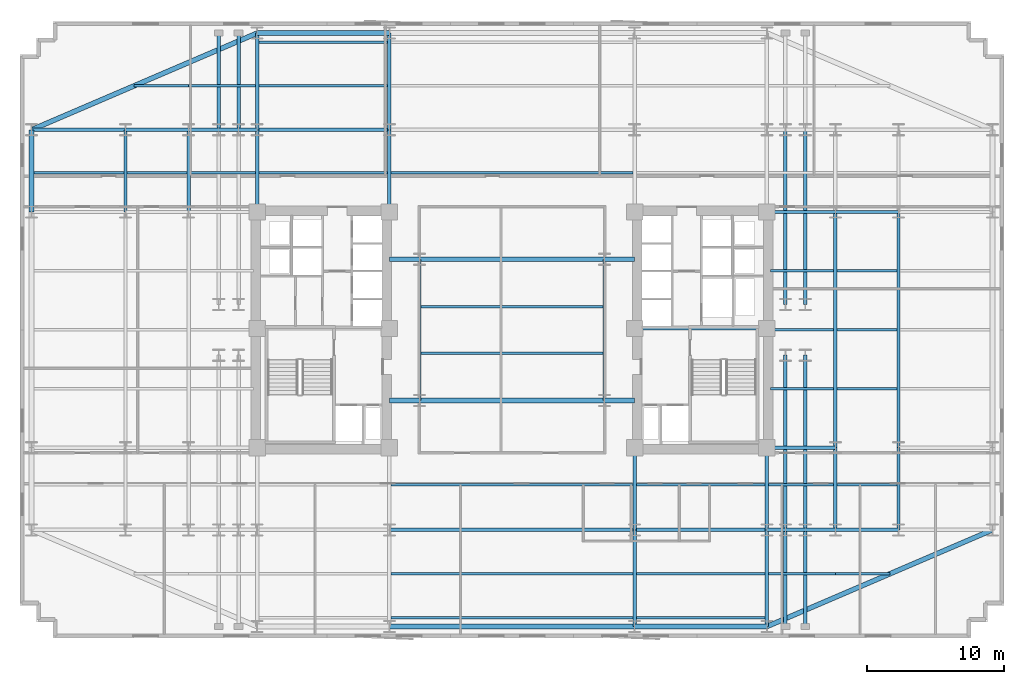
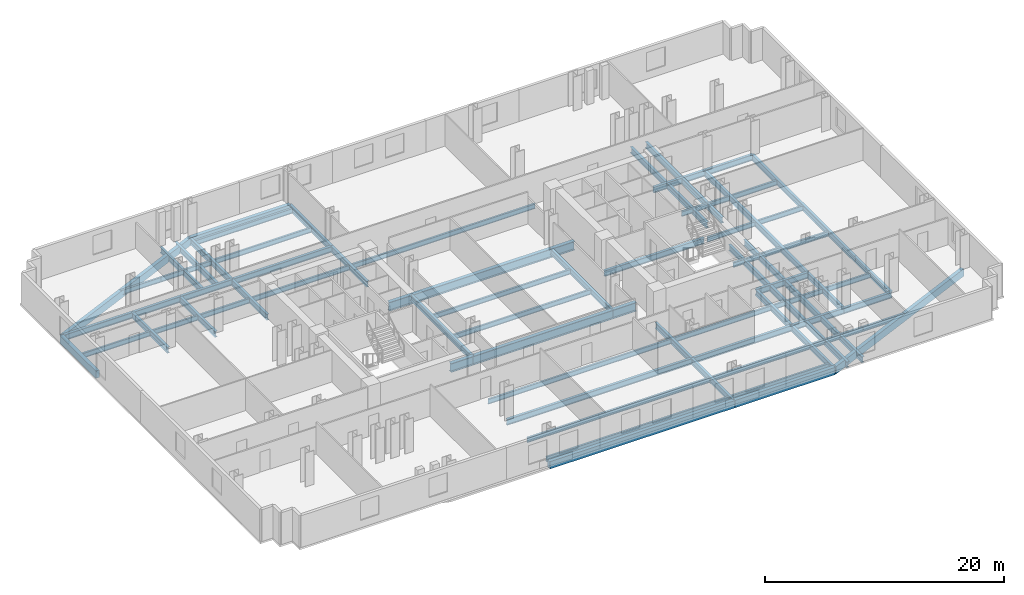
# One storey, part 2 of 10: 75 beams.
"""IFC4 building model written with IfcOpenShell, lengths in metres."""

from ifc_helpers import new_model, si_unit, direction, frame, origin, origin_2d, place, context, subcontext, project, spatial, rectangle, i_section, extrude, material, material_profile, profile_set, type_object, element, save


model = new_model("IFC4")

# Units and contexts
model_context = context("Model", 3, precision=1e-05, world=origin(), true_north=direction((0.0, 1.0)))
body_context = subcontext(model_context, "Body", "Model", "MODEL_VIEW")
ifc_project = project(units=[si_unit("LENGTHUNIT", "METRE"), si_unit("AREAUNIT", "SQUARE_METRE"), si_unit("VOLUMEUNIT", "CUBIC_METRE"), si_unit("PLANEANGLEUNIT", "RADIAN"), si_unit("MASSUNIT", "GRAM", prefix="KILO")], contexts=[model_context])

# Site, building, storey
site_placement = place(None, origin())
site = spatial("IfcSite", under=ifc_project, at=site_placement, CompositionType="ELEMENT")
building_placement = place(site_placement, origin())
building = spatial("IfcBuilding", under=site, at=building_placement, Name="Velakula Bourse", CompositionType="ELEMENT")
storey_placement = place(building_placement, frame((0.0, 0.0, 48.449951171875)))
storey = spatial("IfcBuildingStorey", under=building, at=storey_placement, Name="L12", CompositionType="ELEMENT", Elevation=48.449951171875)

# Beams
ifc_material_1 = material(Name="Steel IS 2062 Grade 350 (E350)", Category="steel")
ifc_material_profile_1 = material_profile(ifc_material_1, i_section(OverallWidth=0.25, OverallDepth=0.60009765625, WebThickness=0.01171875, FlangeThickness=0.023681640625, at=origin_2d()), Name="Steel IS 2062 Grade 350 (E350)")
ifc_profile_set_1 = profile_set([ifc_material_profile_1], Name="Steel IS 2062 Grade 350 (E350)")
beam_type_1 = type_object("IfcBeamType", Name="BM-GRD-600H", PredefinedType="BEAM", material=ifc_profile_set_1)
beam_1_placement = place(storey_placement, frame((8.949951171875, 0.10009765625, -0.47998046875), z_axis=(1.0, 0.0, 0.0), x_axis=(0.0, 1.0, 0.0)))
element("IfcBeam", 1, at=beam_1_placement, inside=storey, type_object=beam_type_1, Name="L12 Primary Backbone Girder CRE-M", PredefinedType="BEAM", context=body_context, shape_type="SweptSolid", body=[
    extrude(i_section(OverallWidth=0.25, OverallDepth=0.60009765625, WebThickness=0.01171875, FlangeThickness=0.023681640625, at=origin_2d()), origin(), (0.0, 0.0, 1.0), 9.650146484375),
])
for number, where, z_axis, x_axis, name in (
    (2, (-6.75, -5.14990234375, -0.47998046875), (0.0, 1.0, 0.0), (-1.0, 0.0, 0.0), "L12 Primary Backbone Girder SPN-W"),
    (3, (6.75, -5.14990234375, -0.47998046875), (0.0, 1.0, 0.0), (-1.0, 0.0, 0.0), "L12 Primary Backbone Girder SPN-E"),
):
    element("IfcBeam", number, at=place(storey_placement, frame(where, z_axis=z_axis, x_axis=x_axis)), inside=storey, type_object=beam_type_1, Name=name, PredefinedType="BEAM", context=body_context, shape_type="SweptSolid", body=[
        extrude(i_section(OverallWidth=0.25, OverallDepth=0.60009765625, WebThickness=0.01171875, FlangeThickness=0.023681640625, at=origin_2d()), origin(), (0.0, 0.0, 1.0), 10.2998046875),
    ])
for number, where, z_axis, x_axis, name in (
    (4, (-18.60009765625, 8.60009765625, -0.47998046875), (0.0, 1.0, 0.0), (-1.0, 0.0, 0.0), "L12 Fulcrum Grid Girder FLC-WN"),
    (5, (-8.949951171875, 8.60009765625, -0.47998046875), (0.0, 1.0, 0.0), (-1.0, 0.0, 0.0), "L12 Fulcrum Grid Girder FLC-WCN"),
    (6, (8.949951171875, -14.60009765625, -0.47998046875), (0.0, 1.0, 0.0), (-1.0, 0.0, 0.0), "L12 Fulcrum Grid Girder FLC-ECS"),
    (7, (18.60009765625, -14.60009765625, -0.47998046875), (0.0, 1.0, 0.0), (-1.0, 0.0, 0.0), "L12 Fulcrum Grid Girder FLC-ES"),
):
    element("IfcBeam", number, at=place(storey_placement, frame(where, z_axis=z_axis, x_axis=x_axis)), inside=storey, type_object=beam_type_1, Name=name, PredefinedType="BEAM", context=body_context, shape_type="SweptSolid", body=[
        extrude(i_section(OverallWidth=0.25, OverallDepth=0.60009765625, WebThickness=0.01171875, FlangeThickness=0.023681640625, at=origin_2d()), origin(), (0.0, 0.0, 1.0), 6.0),
    ])
beam_2_placement = place(storey_placement, frame((-8.949951171875, -14.60009765625, -0.47998046875), z_axis=(1.0, 0.0, 0.0), x_axis=(0.0, 1.0, 0.0)))
element("IfcBeam", 8, at=beam_2_placement, inside=storey, type_object=beam_type_1, Name="L12 Fulcrum Grid Girder FLC-S2", PredefinedType="BEAM", context=body_context, shape_type="SweptSolid", body=[
    extrude(i_section(OverallWidth=0.25, OverallDepth=0.60009765625, WebThickness=0.01171875, FlangeThickness=0.023681640625, at=origin_2d()), origin(), (0.0, 0.0, 1.0), 17.89990234375),
])
for number, where, z_axis, x_axis, name in (
    (9, (8.949951171875, -14.60009765625, -0.47998046875), (1.0, 0.0, 0.0), (0.0, 1.0, 0.0), "L12 Fulcrum Grid Girder FLC-S3"),
    (10, (-18.60009765625, 14.60009765625, -0.47998046875), (1.0, 0.0, 0.0), (0.0, 1.0, 0.0), "L12 Fulcrum Grid Girder FLC-N1"),
):
    element("IfcBeam", number, at=place(storey_placement, frame(where, z_axis=z_axis, x_axis=x_axis)), inside=storey, type_object=beam_type_1, Name=name, PredefinedType="BEAM", context=body_context, shape_type="SweptSolid", body=[
        extrude(i_section(OverallWidth=0.25, OverallDepth=0.60009765625, WebThickness=0.01171875, FlangeThickness=0.023681640625, at=origin_2d()), origin(), (0.0, 0.0, 1.0), 9.650146484375),
    ])
for number, where, z_axis, x_axis, name in (
    (11, (19.949951171875, -14.60009765625, -0.47998046875), (0.0, 1.0, 0.0), (-1.0, 0.0, 0.0), "L12 Fulcrum Grid Girder FLC-PSE1"),
    (12, (19.949951171875, 1.85009765625, -0.47998046875), (0.0, 1.0, 0.0), (-1.0, 0.0, 0.0), "L12 Fulcrum Grid Girder FLC-PNE1"),
    (13, (21.39990234375, -14.60009765625, -0.47998046875), (0.0, 1.0, 0.0), (-1.0, 0.0, 0.0), "L12 Fulcrum Grid Girder FLC-PSE2"),
    (14, (21.39990234375, 1.85009765625, -0.47998046875), (0.0, 1.0, 0.0), (-1.0, 0.0, 0.0), "L12 Fulcrum Grid Girder FLC-PNE2"),
):
    element("IfcBeam", number, at=place(storey_placement, frame(where, z_axis=z_axis, x_axis=x_axis)), inside=storey, type_object=beam_type_1, Name=name, PredefinedType="BEAM", context=body_context, shape_type="SweptSolid", body=[
        extrude(i_section(OverallWidth=0.25, OverallDepth=0.60009765625, WebThickness=0.01171875, FlangeThickness=0.023681640625, at=origin_2d()), origin(), (0.0, 0.0, 1.0), 12.75),
    ])
beam_3_placement = place(storey_placement, frame((-23.60009765625, 14.60009765625, -0.47998046875), z_axis=(1.0, 0.0, 0.0), x_axis=(0.0, 1.0, 0.0)))
element("IfcBeam", 15, at=beam_3_placement, inside=storey, type_object=beam_type_1, Name="L12 Fulcrum Grid Girder MWG-WN2", PredefinedType="BEAM", context=body_context, shape_type="SweptSolid", body=[
    extrude(i_section(OverallWidth=0.25, OverallDepth=0.60009765625, WebThickness=0.01171875, FlangeThickness=0.023681640625, at=origin_2d()), origin(), (0.0, 0.0, 1.0), 5.0),
])
beam_4_placement = place(storey_placement, frame((-23.60009765625, 8.60009765625, -0.47998046875), z_axis=(0.0, 1.0, 0.0), x_axis=(-1.0, 0.0, 0.0)))
element("IfcBeam", 16, at=beam_4_placement, inside=storey, type_object=beam_type_1, Name="L12 Fulcrum Grid Girder MWG-WNS3", PredefinedType="BEAM", context=body_context, shape_type="SweptSolid", body=[
    extrude(i_section(OverallWidth=0.25, OverallDepth=0.60009765625, WebThickness=0.01171875, FlangeThickness=0.023681640625, at=origin_2d()), origin(), (0.0, 0.0, 1.0), 6.0),
])
for number, where, z_axis, x_axis, name in (
    (17, (18.60009765625, -14.60009765625, -0.47998046875), (1.0, 0.0, 0.0), (0.0, 1.0, 0.0), "L12 Fulcrum Grid Girder MWG-ES1"),
    (18, (18.60009765625, -8.60009765625, -0.47998046875), (1.0, 0.0, 0.0), (0.0, 1.0, 0.0), "L12 Fulcrum Grid Girder MWG-ES2"),
    (19, (18.60009765625, 8.60009765625, -0.47998046875), (1.0, 0.0, 0.0), (0.0, 1.0, 0.0), "L12 Fulcrum Grid Girder MWG-EN1"),
):
    element("IfcBeam", number, at=place(storey_placement, frame(where, z_axis=z_axis, x_axis=x_axis)), inside=storey, type_object=beam_type_1, Name=name, PredefinedType="BEAM", context=body_context, shape_type="SweptSolid", body=[
        extrude(i_section(OverallWidth=0.25, OverallDepth=0.60009765625, WebThickness=0.01171875, FlangeThickness=0.023681640625, at=origin_2d()), origin(), (0.0, 0.0, 1.0), 5.0),
    ])
beam_5_placement = place(storey_placement, frame((23.60009765625, -14.60009765625, -0.47998046875), z_axis=(0.0, 1.0, 0.0), x_axis=(-1.0, 0.0, 0.0)))
element("IfcBeam", 20, at=beam_5_placement, inside=storey, type_object=beam_type_1, Name="L12 Fulcrum Grid Girder MWG-ENS1", PredefinedType="BEAM", context=body_context, shape_type="SweptSolid", body=[
    extrude(i_section(OverallWidth=0.25, OverallDepth=0.60009765625, WebThickness=0.01171875, FlangeThickness=0.023681640625, at=origin_2d()), origin(), (0.0, 0.0, 1.0), 6.0),
])
beam_6_placement = place(storey_placement, frame((23.60009765625, -8.60009765625, -0.47998046875), z_axis=(0.0, 1.0, 0.0), x_axis=(-1.0, 0.0, 0.0)))
element("IfcBeam", 21, at=beam_6_placement, inside=storey, type_object=beam_type_1, Name="L12 Fulcrum Grid Girder MWG-ENS2", PredefinedType="BEAM", context=body_context, shape_type="SweptSolid", body=[
    extrude(i_section(OverallWidth=0.25, OverallDepth=0.60009765625, WebThickness=0.01171875, FlangeThickness=0.023681640625, at=origin_2d()), origin(), (0.0, 0.0, 1.0), 17.2001953125),
])
beam_7_placement = place(storey_placement, frame((-28.199951171875, 14.60009765625, -0.47998046875), z_axis=(1.0, 0.0, 0.0), x_axis=(0.0, 1.0, 0.0)))
element("IfcBeam", 22, at=beam_7_placement, inside=storey, type_object=beam_type_1, Name="L12 Fulcrum Grid Girder WNG-WN2", PredefinedType="BEAM", context=body_context, shape_type="SweptSolid", body=[
    extrude(i_section(OverallWidth=0.25, OverallDepth=0.60009765625, WebThickness=0.01171875, FlangeThickness=0.023681640625, at=origin_2d()), origin(), (0.0, 0.0, 1.0), 4.599853515625),
])
beam_8_placement = place(storey_placement, frame((-28.199951171875, 8.60009765625, -0.47998046875), z_axis=(0.0, 1.0, 0.0), x_axis=(-1.0, 0.0, 0.0)))
element("IfcBeam", 23, at=beam_8_placement, inside=storey, type_object=beam_type_1, Name="L12 Fulcrum Grid Girder WNG-WNS3", PredefinedType="BEAM", context=body_context, shape_type="SweptSolid", body=[
    extrude(i_section(OverallWidth=0.25, OverallDepth=0.60009765625, WebThickness=0.01171875, FlangeThickness=0.023681640625, at=origin_2d()), origin(), (0.0, 0.0, 1.0), 6.0),
])
for number, where, z_axis, x_axis, name in (
    (24, (23.60009765625, -14.60009765625, -0.47998046875), (1.0, 0.0, 0.0), (0.0, 1.0, 0.0), "L12 Fulcrum Grid Girder WNG-ES1"),
    (25, (23.60009765625, 8.60009765625, -0.47998046875), (1.0, 0.0, 0.0), (0.0, 1.0, 0.0), "L12 Fulcrum Grid Girder WNG-EN1"),
):
    element("IfcBeam", number, at=place(storey_placement, frame(where, z_axis=z_axis, x_axis=x_axis)), inside=storey, type_object=beam_type_1, Name=name, PredefinedType="BEAM", context=body_context, shape_type="SweptSolid", body=[
        extrude(i_section(OverallWidth=0.25, OverallDepth=0.60009765625, WebThickness=0.01171875, FlangeThickness=0.023681640625, at=origin_2d()), origin(), (0.0, 0.0, 1.0), 4.599853515625),
    ])
beam_9_placement = place(storey_placement, frame((28.199951171875, -14.60009765625, -0.47998046875), z_axis=(0.0, 1.0, 0.0), x_axis=(-1.0, 0.0, 0.0)))
element("IfcBeam", 26, at=beam_9_placement, inside=storey, type_object=beam_type_1, Name="L12 Fulcrum Grid Girder WNG-ENS1", PredefinedType="BEAM", context=body_context, shape_type="SweptSolid", body=[
    extrude(i_section(OverallWidth=0.25, OverallDepth=0.60009765625, WebThickness=0.01171875, FlangeThickness=0.023681640625, at=origin_2d()), origin(), (0.0, 0.0, 1.0), 6.0),
])
beam_10_placement = place(storey_placement, frame((28.199951171875, -8.60009765625, -0.47998046875), z_axis=(0.0, 1.0, 0.0), x_axis=(-1.0, 0.0, 0.0)))
element("IfcBeam", 27, at=beam_10_placement, inside=storey, type_object=beam_type_1, Name="L12 Fulcrum Grid Girder WNG-ENS2", PredefinedType="BEAM", context=body_context, shape_type="SweptSolid", body=[
    extrude(i_section(OverallWidth=0.25, OverallDepth=0.60009765625, WebThickness=0.01171875, FlangeThickness=0.023681640625, at=origin_2d()), origin(), (0.0, 0.0, 1.0), 17.2001953125),
])
for number, where, z_axis, x_axis, name in (
    (28, (8.949951171875, -14.60009765625, -0.47998046875), (0.0, -1.0, 0.0), (1.0, 0.0, 0.0), "L12 Perimeter Tie Girder S3"),
    (29, (18.60009765625, -14.60009765625, -0.47998046875), (0.0, -1.0, 0.0), (1.0, 0.0, 0.0), "L12 Perimeter Tie Girder S4"),
    (30, (-18.60009765625, 14.60009765625, -0.47998046875), (0.0, 1.0, 0.0), (-1.0, 0.0, 0.0), "L12 Perimeter Tie Girder N1"),
    (31, (-8.949951171875, 14.60009765625, -0.47998046875), (0.0, 1.0, 0.0), (-1.0, 0.0, 0.0), "L12 Perimeter Tie Girder N2"),
):
    element("IfcBeam", number, at=place(storey_placement, frame(where, z_axis=z_axis, x_axis=x_axis)), inside=storey, type_object=beam_type_1, Name=name, PredefinedType="BEAM", context=body_context, shape_type="SweptSolid", body=[
        extrude(i_section(OverallWidth=0.25, OverallDepth=0.60009765625, WebThickness=0.01171875, FlangeThickness=0.023681640625, at=origin_2d()), origin(), (0.0, 0.0, 1.0), 7.0498046875),
    ])
beam_11_placement = place(storey_placement, frame((-28.199951171875, 14.60009765625, -0.47998046875), z_axis=(-1.0, 0.0, 0.0), x_axis=(0.0, -1.0, 0.0)))
element("IfcBeam", 32, at=beam_11_placement, inside=storey, type_object=beam_type_1, Name="L12 Perimeter Tie Girder W4", PredefinedType="BEAM", context=body_context, shape_type="SweptSolid", body=[
    extrude(i_section(OverallWidth=0.25, OverallDepth=0.60009765625, WebThickness=0.01171875, FlangeThickness=0.023681640625, at=origin_2d()), origin(), (0.0, 0.0, 1.0), 6.85009765625),
])
for number, where, z_axis, x_axis, name in (
    (33, (19.949951171875, -14.60009765625, -0.47998046875), (0.0, -1.0, 0.0), (1.0, 0.0, 0.0), "L12 Perimeter Tie Girder P03"),
    (34, (21.39990234375, -14.60009765625, -0.47998046875), (0.0, -1.0, 0.0), (1.0, 0.0, 0.0), "L12 Perimeter Tie Girder P04"),
    (35, (-21.39990234375, 14.60009765625, -0.47998046875), (0.0, 1.0, 0.0), (-1.0, 0.0, 0.0), "L12 Perimeter Tie Girder P05"),
    (36, (-19.949951171875, 14.60009765625, -0.47998046875), (0.0, 1.0, 0.0), (-1.0, 0.0, 0.0), "L12 Perimeter Tie Girder P06"),
):
    element("IfcBeam", number, at=place(storey_placement, frame(where, z_axis=z_axis, x_axis=x_axis)), inside=storey, type_object=beam_type_1, Name=name, PredefinedType="BEAM", context=body_context, shape_type="SweptSolid", body=[
        extrude(i_section(OverallWidth=0.25, OverallDepth=0.60009765625, WebThickness=0.01171875, FlangeThickness=0.023681640625, at=origin_2d()), origin(), (0.0, 0.0, 1.0), 7.0498046875),
    ])
ifc_material_profile_2 = material_profile(ifc_material_1, i_section(OverallWidth=0.35009765625, OverallDepth=0.89990234375, WebThickness=0.02001953125, FlangeThickness=0.031982421875, at=origin_2d()), Name="Steel IS 2062 Grade 350 (E350)")
ifc_profile_set_2 = profile_set([ifc_material_profile_2], Name="Steel IS 2062 Grade 350 (E350)")
beam_type_2 = type_object("IfcBeamType", Name="BM-LNK-900", PredefinedType="BEAM", material=ifc_profile_set_2)
beam_12_placement = place(storey_placement, frame((-8.949951171875, -5.14990234375, -0.6298828125), z_axis=(1.0, 0.0, 0.0), x_axis=(0.0, 1.0, 0.0)))
element("IfcBeam", 37, at=beam_12_placement, inside=storey, type_object=beam_type_2, Name="L12 Primary Backbone Girder LNK-S1", PredefinedType="BEAM", context=body_context, shape_type="SweptSolid", body=[
    extrude(i_section(OverallWidth=0.35009765625, OverallDepth=0.89990234375, WebThickness=0.02001953125, FlangeThickness=0.031982421875, at=origin_2d()), origin(), (0.0, 0.0, 1.0), 2.199951171875),
])
beam_13_placement = place(storey_placement, frame((-6.75, -5.14990234375, -0.6298828125), z_axis=(1.0, 0.0, 0.0), x_axis=(0.0, 1.0, 0.0)))
element("IfcBeam", 38, at=beam_13_placement, inside=storey, type_object=beam_type_2, Name="L12 Primary Backbone Girder LNK-S2", PredefinedType="BEAM", context=body_context, shape_type="SweptSolid", body=[
    extrude(i_section(OverallWidth=0.35009765625, OverallDepth=0.89990234375, WebThickness=0.02001953125, FlangeThickness=0.031982421875, at=origin_2d()), origin(), (0.0, 0.0, 1.0), 13.5),
])
for number, where, z_axis, x_axis, name in (
    (39, (6.75, -5.14990234375, -0.6298828125), (1.0, 0.0, 0.0), (0.0, 1.0, 0.0), "L12 Primary Backbone Girder LNK-S3"),
    (40, (-8.949951171875, 5.14990234375, -0.6298828125), (1.0, 0.0, 0.0), (0.0, 1.0, 0.0), "L12 Primary Backbone Girder LNK-N1"),
):
    element("IfcBeam", number, at=place(storey_placement, frame(where, z_axis=z_axis, x_axis=x_axis)), inside=storey, type_object=beam_type_2, Name=name, PredefinedType="BEAM", context=body_context, shape_type="SweptSolid", body=[
        extrude(i_section(OverallWidth=0.35009765625, OverallDepth=0.89990234375, WebThickness=0.02001953125, FlangeThickness=0.031982421875, at=origin_2d()), origin(), (0.0, 0.0, 1.0), 2.199951171875),
    ])
beam_14_placement = place(storey_placement, frame((-6.75, 5.14990234375, -0.6298828125), z_axis=(1.0, 0.0, 0.0), x_axis=(0.0, 1.0, 0.0)))
element("IfcBeam", 41, at=beam_14_placement, inside=storey, type_object=beam_type_2, Name="L12 Primary Backbone Girder LNK-N2", PredefinedType="BEAM", context=body_context, shape_type="SweptSolid", body=[
    extrude(i_section(OverallWidth=0.35009765625, OverallDepth=0.89990234375, WebThickness=0.02001953125, FlangeThickness=0.031982421875, at=origin_2d()), origin(), (0.0, 0.0, 1.0), 13.5),
])
beam_15_placement = place(storey_placement, frame((6.75, 5.14990234375, -0.6298828125), z_axis=(1.0, 0.0, 0.0), x_axis=(0.0, 1.0, 0.0)))
element("IfcBeam", 42, at=beam_15_placement, inside=storey, type_object=beam_type_2, Name="L12 Primary Backbone Girder LNK-N3", PredefinedType="BEAM", context=body_context, shape_type="SweptSolid", body=[
    extrude(i_section(OverallWidth=0.35009765625, OverallDepth=0.89990234375, WebThickness=0.02001953125, FlangeThickness=0.031982421875, at=origin_2d()), origin(), (0.0, 0.0, 1.0), 2.199951171875),
])
ifc_material_profile_3 = material_profile(ifc_material_1, i_section(OverallWidth=0.179931640625, OverallDepth=0.5, WebThickness=0.01025390625, FlangeThickness=0.01708984375, at=origin_2d()), Name="Steel IS 2062 Grade 350 (E350)")
ifc_profile_set_3 = profile_set([ifc_material_profile_3], Name="Steel IS 2062 Grade 350 (E350)")
beam_type_3 = type_object("IfcBeamType", Name="JST-TWR-500", PredefinedType="JOIST", material=ifc_profile_set_3)
beam_16_placement = place(storey_placement, frame((-8.824951171875, -21.0, -0.429931640625), z_axis=(1.0, 0.0, 0.0), x_axis=(0.0, 1.0, 0.0)))
element("IfcBeam", 43, at=beam_16_placement, inside=storey, type_object=beam_type_3, Name="L12 Trading Floor Composite Joist 02", PredefinedType="JOIST", context=body_context, shape_type="SweptSolid", body=[
    extrude(i_section(OverallWidth=0.179931640625, OverallDepth=0.5, WebThickness=0.01025390625, FlangeThickness=0.01708984375, at=origin_2d()), origin(), (0.0, 0.0, 1.0), 17.64990234375),
])
beam_17_placement = place(storey_placement, frame((9.074951171875, -21.0, -0.429931640625), z_axis=(1.0, 0.0, 0.0), x_axis=(0.0, 1.0, 0.0)))
element("IfcBeam", 44, at=beam_17_placement, inside=storey, type_object=beam_type_3, Name="L12 Trading Floor Composite Joist 03", PredefinedType="JOIST", context=body_context, shape_type="SweptSolid", body=[
    extrude(i_section(OverallWidth=0.179931640625, OverallDepth=0.5, WebThickness=0.01025390625, FlangeThickness=0.01708984375, at=origin_2d()), origin(), (0.0, 0.0, 1.0), 9.400146484375),
])
beam_18_placement = place(storey_placement, frame((-8.824951171875, -17.800048828125, -0.429931640625), z_axis=(1.0, 0.0, 0.0), x_axis=(0.0, 1.0, 0.0)))
element("IfcBeam", 45, at=beam_18_placement, inside=storey, type_object=beam_type_3, Name="L12 Trading Floor Composite Joist 07", PredefinedType="JOIST", context=body_context, shape_type="SweptSolid", body=[
    extrude(i_section(OverallWidth=0.179931640625, OverallDepth=0.5, WebThickness=0.01025390625, FlangeThickness=0.01708984375, at=origin_2d()), origin(), (0.0, 0.0, 1.0), 17.64990234375),
])
beam_19_placement = place(storey_placement, frame((9.074951171875, -17.800048828125, -0.429931640625), z_axis=(1.0, 0.0, 0.0), x_axis=(0.0, 1.0, 0.0)))
element("IfcBeam", 46, at=beam_19_placement, inside=storey, type_object=beam_type_3, Name="L12 Trading Floor Composite Joist 08", PredefinedType="JOIST", context=body_context, shape_type="SweptSolid", body=[
    extrude(i_section(OverallWidth=0.179931640625, OverallDepth=0.5, WebThickness=0.01025390625, FlangeThickness=0.01708984375, at=origin_2d()), origin(), (0.0, 0.0, 1.0), 9.400146484375),
])
beam_20_placement = place(storey_placement, frame((18.72509765625, -17.800048828125, -0.429931640625), z_axis=(1.0, 0.0, 0.0), x_axis=(0.0, 1.0, 0.0)))
element("IfcBeam", 47, at=beam_20_placement, inside=storey, type_object=beam_type_3, Name="L12 Trading Floor Composite Joist 09", PredefinedType="JOIST", context=body_context, shape_type="SweptSolid", body=[
    extrude(i_section(OverallWidth=0.179931640625, OverallDepth=0.5, WebThickness=0.01025390625, FlangeThickness=0.01708984375, at=origin_2d()), origin(), (0.0, 0.0, 1.0), 4.875),
])
beam_21_placement = place(storey_placement, frame((23.60009765625, -17.800048828125, -0.429931640625), z_axis=(1.0, 0.0, 0.0), x_axis=(0.0, 1.0, 0.0)))
element("IfcBeam", 48, at=beam_21_placement, inside=storey, type_object=beam_type_3, Name="L12 Trading Floor Composite Joist 10", PredefinedType="JOIST", context=body_context, shape_type="SweptSolid", body=[
    extrude(i_section(OverallWidth=0.179931640625, OverallDepth=0.5, WebThickness=0.01025390625, FlangeThickness=0.01708984375, at=origin_2d()), origin(), (0.0, 0.0, 1.0), 3.983154296875),
])
beam_22_placement = place(storey_placement, frame((-8.824951171875, -11.300048828125, -0.429931640625), z_axis=(1.0, 0.0, 0.0), x_axis=(0.0, 1.0, 0.0)))
element("IfcBeam", 49, at=beam_22_placement, inside=storey, type_object=beam_type_3, Name="L12 Trading Floor Composite Joist 15", PredefinedType="JOIST", context=body_context, shape_type="SweptSolid", body=[
    extrude(i_section(OverallWidth=0.179931640625, OverallDepth=0.5, WebThickness=0.01025390625, FlangeThickness=0.01708984375, at=origin_2d()), origin(), (0.0, 0.0, 1.0), 17.64990234375),
])
beam_23_placement = place(storey_placement, frame((9.074951171875, -11.300048828125, -0.429931640625), z_axis=(1.0, 0.0, 0.0), x_axis=(0.0, 1.0, 0.0)))
element("IfcBeam", 50, at=beam_23_placement, inside=storey, type_object=beam_type_3, Name="L12 Trading Floor Composite Joist 16", PredefinedType="JOIST", context=body_context, shape_type="SweptSolid", body=[
    extrude(i_section(OverallWidth=0.179931640625, OverallDepth=0.5, WebThickness=0.01025390625, FlangeThickness=0.01708984375, at=origin_2d()), origin(), (0.0, 0.0, 1.0), 9.400146484375),
])
beam_24_placement = place(storey_placement, frame((18.72509765625, -11.300048828125, -0.429931640625), z_axis=(1.0, 0.0, 0.0), x_axis=(0.0, 1.0, 0.0)))
element("IfcBeam", 51, at=beam_24_placement, inside=storey, type_object=beam_type_3, Name="L12 Trading Floor Composite Joist 17", PredefinedType="JOIST", context=body_context, shape_type="SweptSolid", body=[
    extrude(i_section(OverallWidth=0.179931640625, OverallDepth=0.5, WebThickness=0.01025390625, FlangeThickness=0.01708984375, at=origin_2d()), origin(), (0.0, 0.0, 1.0), 4.75),
])
beam_25_placement = place(storey_placement, frame((23.72509765625, -11.300048828125, -0.429931640625), z_axis=(1.0, 0.0, 0.0), x_axis=(0.0, 1.0, 0.0)))
element("IfcBeam", 52, at=beam_25_placement, inside=storey, type_object=beam_type_3, Name="L12 Trading Floor Composite Joist 18", PredefinedType="JOIST", context=body_context, shape_type="SweptSolid", body=[
    extrude(i_section(OverallWidth=0.179931640625, OverallDepth=0.5, WebThickness=0.01025390625, FlangeThickness=0.01708984375, at=origin_2d()), origin(), (0.0, 0.0, 1.0), 4.349853515625),
])
beam_26_placement = place(storey_placement, frame((-34.875, 11.449951171875, -0.429931640625), z_axis=(1.0, 0.0, 0.0), x_axis=(0.0, 1.0, 0.0)))
element("IfcBeam", 53, at=beam_26_placement, inside=storey, type_object=beam_type_3, Name="L12 Trading Floor Composite Joist 20", PredefinedType="JOIST", context=body_context, shape_type="SweptSolid", body=[
    extrude(i_section(OverallWidth=0.179931640625, OverallDepth=0.5, WebThickness=0.01025390625, FlangeThickness=0.01708984375, at=origin_2d()), origin(), (0.0, 0.0, 1.0), 6.550048828125),
])
beam_27_placement = place(storey_placement, frame((-28.074951171875, 11.449951171875, -0.429931640625), z_axis=(1.0, 0.0, 0.0), x_axis=(0.0, 1.0, 0.0)))
element("IfcBeam", 54, at=beam_27_placement, inside=storey, type_object=beam_type_3, Name="L12 Trading Floor Composite Joist 21", PredefinedType="JOIST", context=body_context, shape_type="SweptSolid", body=[
    extrude(i_section(OverallWidth=0.179931640625, OverallDepth=0.5, WebThickness=0.01025390625, FlangeThickness=0.01708984375, at=origin_2d()), origin(), (0.0, 0.0, 1.0), 4.349853515625),
])
beam_28_placement = place(storey_placement, frame((-23.47509765625, 11.449951171875, -0.429931640625), z_axis=(1.0, 0.0, 0.0), x_axis=(0.0, 1.0, 0.0)))
element("IfcBeam", 55, at=beam_28_placement, inside=storey, type_object=beam_type_3, Name="L12 Trading Floor Composite Joist 22", PredefinedType="JOIST", context=body_context, shape_type="SweptSolid", body=[
    extrude(i_section(OverallWidth=0.179931640625, OverallDepth=0.5, WebThickness=0.01025390625, FlangeThickness=0.01708984375, at=origin_2d()), origin(), (0.0, 0.0, 1.0), 4.75),
])
beam_29_placement = place(storey_placement, frame((-18.47509765625, 11.449951171875, -0.429931640625), z_axis=(1.0, 0.0, 0.0), x_axis=(0.0, 1.0, 0.0)))
element("IfcBeam", 56, at=beam_29_placement, inside=storey, type_object=beam_type_3, Name="L12 Trading Floor Composite Joist 23", PredefinedType="JOIST", context=body_context, shape_type="SweptSolid", body=[
    extrude(i_section(OverallWidth=0.179931640625, OverallDepth=0.5, WebThickness=0.01025390625, FlangeThickness=0.01708984375, at=origin_2d()), origin(), (0.0, 0.0, 1.0), 9.400146484375),
])
beam_30_placement = place(storey_placement, frame((-8.824951171875, 11.449951171875, -0.429931640625), z_axis=(1.0, 0.0, 0.0), x_axis=(0.0, 1.0, 0.0)))
element("IfcBeam", 57, at=beam_30_placement, inside=storey, type_object=beam_type_3, Name="L12 Trading Floor Composite Joist 24", PredefinedType="JOIST", context=body_context, shape_type="SweptSolid", body=[
    extrude(i_section(OverallWidth=0.179931640625, OverallDepth=0.5, WebThickness=0.01025390625, FlangeThickness=0.01708984375, at=origin_2d()), origin(), (0.0, 0.0, 1.0), 17.64990234375),
])
beam_31_placement = place(storey_placement, frame((-27.583251953125, 17.800048828125, -0.429931640625), z_axis=(1.0, 0.0, 0.0), x_axis=(0.0, 1.0, 0.0)))
element("IfcBeam", 58, at=beam_31_placement, inside=storey, type_object=beam_type_3, Name="L12 Trading Floor Composite Joist 29", PredefinedType="JOIST", context=body_context, shape_type="SweptSolid", body=[
    extrude(i_section(OverallWidth=0.179931640625, OverallDepth=0.5, WebThickness=0.01025390625, FlangeThickness=0.01708984375, at=origin_2d()), origin(), (0.0, 0.0, 1.0), 3.983154296875),
])
beam_32_placement = place(storey_placement, frame((-23.60009765625, 17.800048828125, -0.429931640625), z_axis=(1.0, 0.0, 0.0), x_axis=(0.0, 1.0, 0.0)))
element("IfcBeam", 59, at=beam_32_placement, inside=storey, type_object=beam_type_3, Name="L12 Trading Floor Composite Joist 30", PredefinedType="JOIST", context=body_context, shape_type="SweptSolid", body=[
    extrude(i_section(OverallWidth=0.179931640625, OverallDepth=0.5, WebThickness=0.01025390625, FlangeThickness=0.01708984375, at=origin_2d()), origin(), (0.0, 0.0, 1.0), 4.875),
])
for number, where, z_axis, x_axis, name in (
    (60, (-18.47509765625, 17.800048828125, -0.429931640625), (1.0, 0.0, 0.0), (0.0, 1.0, 0.0), "L12 Trading Floor Composite Joist 31"),
    (61, (-18.47509765625, 21.0, -0.429931640625), (1.0, 0.0, 0.0), (0.0, 1.0, 0.0), "L12 Trading Floor Composite Joist 36"),
):
    element("IfcBeam", number, at=place(storey_placement, frame(where, z_axis=z_axis, x_axis=x_axis)), inside=storey, type_object=beam_type_3, Name=name, PredefinedType="JOIST", context=body_context, shape_type="SweptSolid", body=[
        extrude(i_section(OverallWidth=0.179931640625, OverallDepth=0.5, WebThickness=0.01025390625, FlangeThickness=0.01708984375, at=origin_2d()), origin(), (0.0, 0.0, 1.0), 9.400146484375),
    ])
for number, where, z_axis, x_axis, name in (
    (62, (-6.625, -1.699951171875, -0.429931640625), (1.0, 0.0, 0.0), (0.0, 1.0, 0.0), "L12 Trading Floor Composite Joist 39"),
    (63, (-6.625, 1.699951171875, -0.429931640625), (1.0, 0.0, 0.0), (0.0, 1.0, 0.0), "L12 Trading Floor Composite Joist 40"),
):
    element("IfcBeam", number, at=place(storey_placement, frame(where, z_axis=z_axis, x_axis=x_axis)), inside=storey, type_object=beam_type_3, Name=name, PredefinedType="JOIST", context=body_context, shape_type="SweptSolid", body=[
        extrude(i_section(OverallWidth=0.179931640625, OverallDepth=0.5, WebThickness=0.01025390625, FlangeThickness=0.01708984375, at=origin_2d()), origin(), (0.0, 0.0, 1.0), 13.25),
    ])
beam_33_placement = place(storey_placement, frame((18.85009765625, -4.300048828125, -0.429931640625), z_axis=(1.0, 0.0, 0.0), x_axis=(0.0, 1.0, 0.0)))
element("IfcBeam", 64, at=beam_33_placement, inside=storey, type_object=beam_type_3, Name="L12 Trading Floor Composite Joist 44", PredefinedType="JOIST", context=body_context, shape_type="SweptSolid", body=[
    extrude(i_section(OverallWidth=0.179931640625, OverallDepth=0.5, WebThickness=0.01025390625, FlangeThickness=0.01708984375, at=origin_2d()), origin(), (0.0, 0.0, 1.0), 4.625),
])
beam_34_placement = place(storey_placement, frame((23.72509765625, -4.300048828125, -0.429931640625), z_axis=(1.0, 0.0, 0.0), x_axis=(0.0, 1.0, 0.0)))
element("IfcBeam", 65, at=beam_34_placement, inside=storey, type_object=beam_type_3, Name="L12 Trading Floor Composite Joist 45", PredefinedType="JOIST", context=body_context, shape_type="SweptSolid", body=[
    extrude(i_section(OverallWidth=0.179931640625, OverallDepth=0.5, WebThickness=0.01025390625, FlangeThickness=0.01708984375, at=origin_2d()), origin(), (0.0, 0.0, 1.0), 4.349853515625),
])
beam_35_placement = place(storey_placement, frame((18.85009765625, 0.0, -0.429931640625), z_axis=(1.0, 0.0, 0.0), x_axis=(0.0, 1.0, 0.0)))
element("IfcBeam", 66, at=beam_35_placement, inside=storey, type_object=beam_type_3, Name="L12 Trading Floor Composite Joist 50", PredefinedType="JOIST", context=body_context, shape_type="SweptSolid", body=[
    extrude(i_section(OverallWidth=0.179931640625, OverallDepth=0.5, WebThickness=0.01025390625, FlangeThickness=0.01708984375, at=origin_2d()), origin(), (0.0, 0.0, 1.0), 4.625),
])
beam_36_placement = place(storey_placement, frame((23.72509765625, 0.0, -0.429931640625), z_axis=(1.0, 0.0, 0.0), x_axis=(0.0, 1.0, 0.0)))
element("IfcBeam", 67, at=beam_36_placement, inside=storey, type_object=beam_type_3, Name="L12 Trading Floor Composite Joist 51", PredefinedType="JOIST", context=body_context, shape_type="SweptSolid", body=[
    extrude(i_section(OverallWidth=0.179931640625, OverallDepth=0.5, WebThickness=0.01025390625, FlangeThickness=0.01708984375, at=origin_2d()), origin(), (0.0, 0.0, 1.0), 4.349853515625),
])
beam_37_placement = place(storey_placement, frame((18.85009765625, 4.300048828125, -0.429931640625), z_axis=(1.0, 0.0, 0.0), x_axis=(0.0, 1.0, 0.0)))
element("IfcBeam", 68, at=beam_37_placement, inside=storey, type_object=beam_type_3, Name="L12 Trading Floor Composite Joist 56", PredefinedType="JOIST", context=body_context, shape_type="SweptSolid", body=[
    extrude(i_section(OverallWidth=0.179931640625, OverallDepth=0.5, WebThickness=0.01025390625, FlangeThickness=0.01708984375, at=origin_2d()), origin(), (0.0, 0.0, 1.0), 4.625),
])
beam_38_placement = place(storey_placement, frame((23.72509765625, 4.300048828125, -0.429931640625), z_axis=(1.0, 0.0, 0.0), x_axis=(0.0, 1.0, 0.0)))
element("IfcBeam", 69, at=beam_38_placement, inside=storey, type_object=beam_type_3, Name="L12 Trading Floor Composite Joist 57", PredefinedType="JOIST", context=body_context, shape_type="SweptSolid", body=[
    extrude(i_section(OverallWidth=0.179931640625, OverallDepth=0.5, WebThickness=0.01025390625, FlangeThickness=0.01708984375, at=origin_2d()), origin(), (0.0, 0.0, 1.0), 4.349853515625),
])
ifc_material_2 = material(Name="Precast concrete M45 (fck 45 MPa)", Category="concrete")
ifc_material_profile_4 = material_profile(ifc_material_2, rectangle(XDim=0.35009765625, YDim=0.75, at=origin_2d()), Name="Precast concrete M45 (fck 45 MPa)")
ifc_profile_set_4 = profile_set([ifc_material_profile_4], Name="Precast concrete M45 (fck 45 MPa)")
beam_type_4 = type_object("IfcBeamType", Name="SPN-BRICK-750", PredefinedType="SPANDREL", material=ifc_profile_set_4)
beam_39_placement = place(storey_placement, frame((-8.949951171875, -21.64990234375, -0.554931640625), z_axis=(1.0, 0.0, 0.0), x_axis=(0.0, 1.0, 0.0)))
element("IfcBeam", 70, at=beam_39_placement, inside=storey, type_object=beam_type_4, Name="L12 Brick-Faced Precast Spandrel S2-S3", PredefinedType="SPANDREL", context=body_context, shape_type="SweptSolid", body=[
    extrude(rectangle(XDim=0.35009765625, YDim=0.75, at=origin_2d()), origin(), (0.0, 0.0, 1.0), 17.89990234375),
])
for number, where, z_axis, x_axis, name in (
    (71, (8.949951171875, -21.64990234375, -0.554931640625), (1.0, 0.0, 0.0), (0.0, 1.0, 0.0), "L12 Brick-Faced Precast Spandrel S3-S4"),
    (72, (-18.60009765625, 21.64990234375, -0.554931640625), (1.0, 0.0, 0.0), (0.0, 1.0, 0.0), "L12 Brick-Faced Precast Spandrel N1-N2"),
):
    element("IfcBeam", number, at=place(storey_placement, frame(where, z_axis=z_axis, x_axis=x_axis)), inside=storey, type_object=beam_type_4, Name=name, PredefinedType="SPANDREL", context=body_context, shape_type="SweptSolid", body=[
        extrude(rectangle(XDim=0.35009765625, YDim=0.75, at=origin_2d()), origin(), (0.0, 0.0, 1.0), 9.650146484375),
    ])
beam_40_placement = place(storey_placement, frame((-35.050048828125, 8.60009765625, -0.554931640625), z_axis=(0.0, 1.0, 0.0), x_axis=(-1.0, 0.0, 0.0)))
element("IfcBeam", 73, at=beam_40_placement, inside=storey, type_object=beam_type_4, Name="L12 Brick-Faced Precast Spandrel W3-W4", PredefinedType="SPANDREL", context=body_context, shape_type="SweptSolid", body=[
    extrude(rectangle(XDim=0.35009765625, YDim=0.75, at=origin_2d()), origin(), (0.0, 0.0, 1.0), 6.0),
])
for number, where, z_axis, x_axis, name in (
    (74, (18.60009765625, -21.64990234375, -0.554931640625), (0.919148557947, 0.393911066642, 0.0), (-0.393911066642, 0.919148557947, 0.0), "L12 Brick-Faced Precast Spandrel S4-E1"),
    (75, (-18.60009765625, 21.64990234375, -0.554931640625), (-0.919148557947, -0.393911066642, 0.0), (0.393911066642, -0.919148557947, 0.0), "L12 Brick-Faced Precast Spandrel N1-W4"),
):
    element("IfcBeam", number, at=place(storey_placement, frame(where, z_axis=z_axis, x_axis=x_axis)), inside=storey, type_object=beam_type_4, Name=name, PredefinedType="SPANDREL", context=body_context, shape_type="SweptSolid", body=[
        extrude(rectangle(XDim=0.35009765625, YDim=0.75, at=origin_2d()), origin(), (0.0, 0.0, 1.0), 17.89697265625),
    ])

save(model, "model.ifc")
